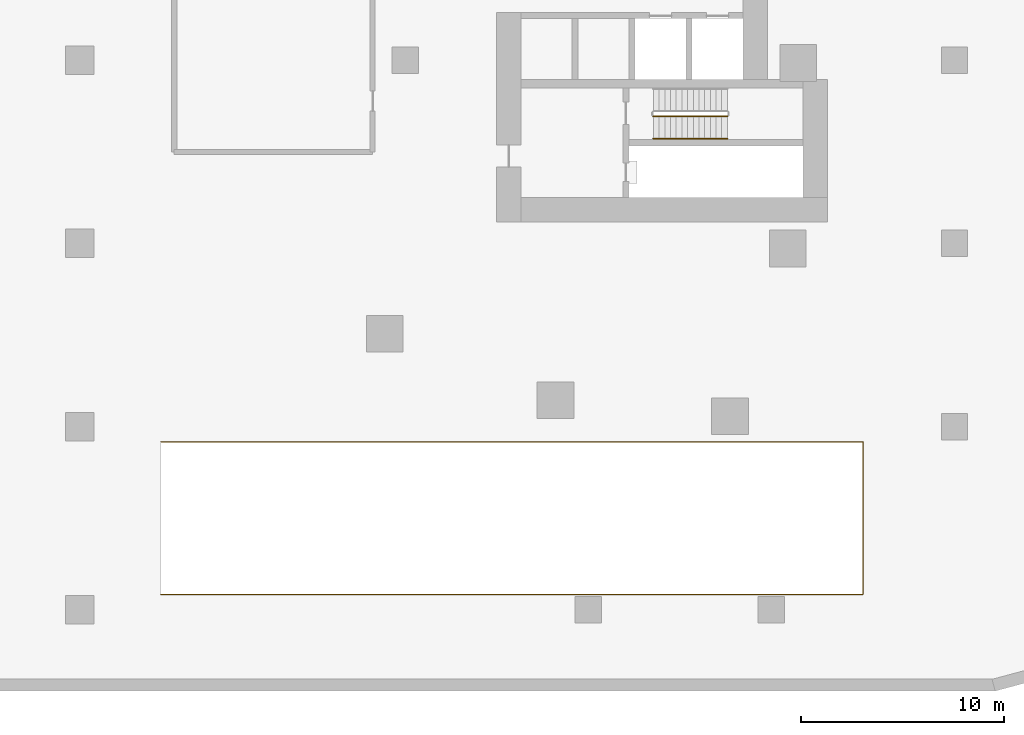
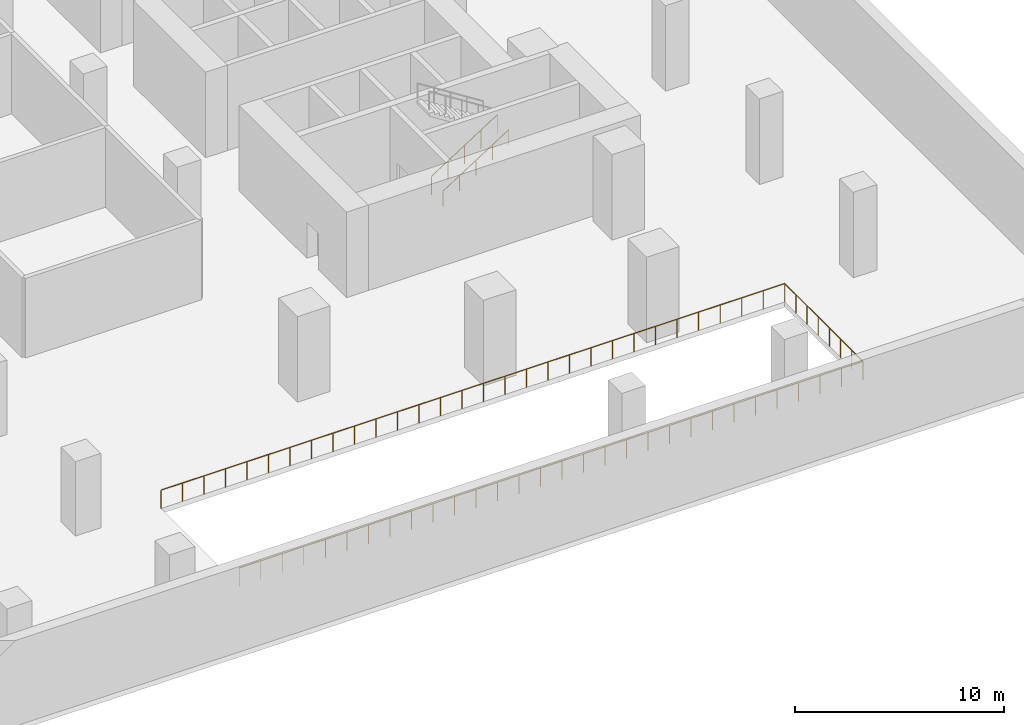
# One storey, part 7 of 9: 3 railings.
"""IFC4 building model written with IfcOpenShell, lengths in metres."""

from ifc_helpers import new_model, si_unit, direction, frame, origin, origin_2d, place, context, subcontext, project, spatial, circle, extrude, material, type_object, element, save


model = new_model("IFC4")

# Units and contexts
model_context = context("Model", 3, precision=1e-05, world=origin(), true_north=direction((0.0, 1.0)))
body_context = subcontext(model_context, "Body", "Model", "MODEL_VIEW")
ifc_project = project(units=[si_unit("LENGTHUNIT", "METRE"), si_unit("AREAUNIT", "SQUARE_METRE"), si_unit("VOLUMEUNIT", "CUBIC_METRE"), si_unit("PLANEANGLEUNIT", "RADIAN"), si_unit("MASSUNIT", "GRAM", prefix="KILO")], contexts=[model_context])

# Site, building, storey
site_placement = place(None, origin())
site = spatial("IfcSite", under=ifc_project, at=site_placement, CompositionType="ELEMENT")
building_placement = place(site_placement, origin())
building = spatial("IfcBuilding", under=site, at=building_placement, Name="Ostrand Prow Hotel Tower", CompositionType="ELEMENT")
storey_placement = place(building_placement, frame((0.0, 0.0, -5.0)))
storey = spatial("IfcBuildingStorey", under=building, at=storey_placement, Name="B1", CompositionType="ELEMENT", Elevation=-5.0)

# Railings
ifc_material_1 = material(Name="Painted steel", Category="steel")
railing_type_1 = type_object("IfcRailingType", Name="Ramp guard 1100", PredefinedType="GUARDRAIL", material=ifc_material_1)
railing_1_placement = place(storey_placement, frame((33.0, -27.75, 0.0)))
element("IfcRailing", 1, at=railing_1_placement, inside=storey, type_object=railing_type_1, Name="Floor opening guard", PredefinedType="GUARDRAIL", context=body_context, shape_type="SweptSolid", body=[
    extrude(circle(Radius=0.02392578125, at=origin_2d()), frame((0.0, 0.0, 1.076171875), z_axis=(1.0, 0.0, 0.0), x_axis=(0.0, 1.0, 0.0)), (0.0, 0.0, 1.0), 34.5),
    extrude(circle(Radius=0.02392578125, at=origin_2d()), frame((34.5, 0.0, 1.076171875), z_axis=(0.0, -1.0, 0.0), x_axis=(1.0, 0.0, 0.0)), (0.0, 0.0, 1.0), 7.5),
    extrude(circle(Radius=0.02392578125, at=origin_2d()), frame((34.5, -7.5, 1.076171875), z_axis=(-1.0, 0.0, 0.0), x_axis=(0.0, -1.0, 0.0)), (0.0, 0.0, 1.0), 34.5),
    extrude(circle(Radius=0.02099609375, at=origin_2d()), origin(), (0.0, 0.0, 1.0), 1.052001953125),
    extrude(circle(Radius=0.02099609375, at=origin_2d()), frame((1.189697265625, 0.0, 0.0)), (0.0, 0.0, 1.0), 1.052001953125),
    extrude(circle(Radius=0.02099609375, at=origin_2d()), frame((2.37939453125, 0.0, 0.0)), (0.0, 0.0, 1.0), 1.052001953125),
    extrude(circle(Radius=0.02099609375, at=origin_2d()), frame((3.56884765625, 0.0, 0.0)), (0.0, 0.0, 1.0), 1.052001953125),
    extrude(circle(Radius=0.02099609375, at=origin_2d()), frame((4.758544921875, 0.0, 0.0)), (0.0, 0.0, 1.0), 1.052001953125),
    extrude(circle(Radius=0.02099609375, at=origin_2d()), frame((5.9482421875, 0.0, 0.0)), (0.0, 0.0, 1.0), 1.052001953125),
    extrude(circle(Radius=0.02099609375, at=origin_2d()), frame((7.137939453125, 0.0, 0.0)), (0.0, 0.0, 1.0), 1.052001953125),
    extrude(circle(Radius=0.02099609375, at=origin_2d()), frame((8.32763671875, 0.0, 0.0)), (0.0, 0.0, 1.0), 1.052001953125),
    extrude(circle(Radius=0.02099609375, at=origin_2d()), frame((9.517333984375, 0.0, 0.0)), (0.0, 0.0, 1.0), 1.052001953125),
    extrude(circle(Radius=0.02099609375, at=origin_2d()), frame((10.706787109375, 0.0, 0.0)), (0.0, 0.0, 1.0), 1.052001953125),
    extrude(circle(Radius=0.02099609375, at=origin_2d()), frame((11.896484375, 0.0, 0.0)), (0.0, 0.0, 1.0), 1.052001953125),
    extrude(circle(Radius=0.02099609375, at=origin_2d()), frame((13.086181640625, 0.0, 0.0)), (0.0, 0.0, 1.0), 1.052001953125),
    extrude(circle(Radius=0.02099609375, at=origin_2d()), frame((14.27587890625, 0.0, 0.0)), (0.0, 0.0, 1.0), 1.052001953125),
    extrude(circle(Radius=0.02099609375, at=origin_2d()), frame((15.465576171875, 0.0, 0.0)), (0.0, 0.0, 1.0), 1.052001953125),
    extrude(circle(Radius=0.02099609375, at=origin_2d()), frame((16.6552734375, 0.0, 0.0)), (0.0, 0.0, 1.0), 1.052001953125),
    extrude(circle(Radius=0.02099609375, at=origin_2d()), frame((17.8447265625, 0.0, 0.0)), (0.0, 0.0, 1.0), 1.052001953125),
    extrude(circle(Radius=0.02099609375, at=origin_2d()), frame((19.034423828125, 0.0, 0.0)), (0.0, 0.0, 1.0), 1.052001953125),
    extrude(circle(Radius=0.02099609375, at=origin_2d()), frame((20.22412109375, 0.0, 0.0)), (0.0, 0.0, 1.0), 1.052001953125),
    extrude(circle(Radius=0.02099609375, at=origin_2d()), frame((21.413818359375, 0.0, 0.0)), (0.0, 0.0, 1.0), 1.052001953125),
    extrude(circle(Radius=0.02099609375, at=origin_2d()), frame((22.603515625, 0.0, 0.0)), (0.0, 0.0, 1.0), 1.052001953125),
    extrude(circle(Radius=0.02099609375, at=origin_2d()), frame((23.793212890625, 0.0, 0.0)), (0.0, 0.0, 1.0), 1.052001953125),
    extrude(circle(Radius=0.02099609375, at=origin_2d()), frame((24.982666015625, 0.0, 0.0)), (0.0, 0.0, 1.0), 1.052001953125),
    extrude(circle(Radius=0.02099609375, at=origin_2d()), frame((26.17236328125, 0.0, 0.0)), (0.0, 0.0, 1.0), 1.052001953125),
    extrude(circle(Radius=0.02099609375, at=origin_2d()), frame((27.362060546875, 0.0, 0.0)), (0.0, 0.0, 1.0), 1.052001953125),
    extrude(circle(Radius=0.02099609375, at=origin_2d()), frame((28.5517578125, 0.0, 0.0)), (0.0, 0.0, 1.0), 1.052001953125),
    extrude(circle(Radius=0.02099609375, at=origin_2d()), frame((29.741455078125, 0.0, 0.0)), (0.0, 0.0, 1.0), 1.052001953125),
    extrude(circle(Radius=0.02099609375, at=origin_2d()), frame((30.93115234375, 0.0, 0.0)), (0.0, 0.0, 1.0), 1.052001953125),
    extrude(circle(Radius=0.02099609375, at=origin_2d()), frame((32.12060546875, 0.0, 0.0)), (0.0, 0.0, 1.0), 1.052001953125),
    extrude(circle(Radius=0.02099609375, at=origin_2d()), frame((33.310302734375, 0.0, 0.0)), (0.0, 0.0, 1.0), 1.052001953125),
    extrude(circle(Radius=0.02099609375, at=origin_2d()), frame((34.5, 0.0, 0.0)), (0.0, 0.0, 1.0), 1.052001953125),
    extrude(circle(Radius=0.02099609375, at=origin_2d()), frame((34.5, -1.071533203125, 0.0)), (0.0, 0.0, 1.0), 1.052001953125),
    extrude(circle(Radius=0.02099609375, at=origin_2d()), frame((34.5, -2.142822265625, 0.0)), (0.0, 0.0, 1.0), 1.052001953125),
    extrude(circle(Radius=0.02099609375, at=origin_2d()), frame((34.5, -3.21435546875, 0.0)), (0.0, 0.0, 1.0), 1.052001953125),
    extrude(circle(Radius=0.02099609375, at=origin_2d()), frame((34.5, -4.28564453125, 0.0)), (0.0, 0.0, 1.0), 1.052001953125),
    extrude(circle(Radius=0.02099609375, at=origin_2d()), frame((34.5, -5.357177734375, 0.0)), (0.0, 0.0, 1.0), 1.052001953125),
    extrude(circle(Radius=0.02099609375, at=origin_2d()), frame((34.5, -6.428466796875, 0.0)), (0.0, 0.0, 1.0), 1.052001953125),
    extrude(circle(Radius=0.02099609375, at=origin_2d()), frame((34.5, -7.5, 0.0)), (0.0, 0.0, 1.0), 1.052001953125),
    extrude(circle(Radius=0.02099609375, at=origin_2d()), frame((33.310302734375, -7.5, 0.0)), (0.0, 0.0, 1.0), 1.052001953125),
    extrude(circle(Radius=0.02099609375, at=origin_2d()), frame((32.12060546875, -7.5, 0.0)), (0.0, 0.0, 1.0), 1.052001953125),
    extrude(circle(Radius=0.02099609375, at=origin_2d()), frame((30.93115234375, -7.5, 0.0)), (0.0, 0.0, 1.0), 1.052001953125),
    extrude(circle(Radius=0.02099609375, at=origin_2d()), frame((29.741455078125, -7.5, 0.0)), (0.0, 0.0, 1.0), 1.052001953125),
    extrude(circle(Radius=0.02099609375, at=origin_2d()), frame((28.5517578125, -7.5, 0.0)), (0.0, 0.0, 1.0), 1.052001953125),
    extrude(circle(Radius=0.02099609375, at=origin_2d()), frame((27.362060546875, -7.5, 0.0)), (0.0, 0.0, 1.0), 1.052001953125),
    extrude(circle(Radius=0.02099609375, at=origin_2d()), frame((26.17236328125, -7.5, 0.0)), (0.0, 0.0, 1.0), 1.052001953125),
    extrude(circle(Radius=0.02099609375, at=origin_2d()), frame((24.982666015625, -7.5, 0.0)), (0.0, 0.0, 1.0), 1.052001953125),
    extrude(circle(Radius=0.02099609375, at=origin_2d()), frame((23.793212890625, -7.5, 0.0)), (0.0, 0.0, 1.0), 1.052001953125),
    extrude(circle(Radius=0.02099609375, at=origin_2d()), frame((22.603515625, -7.5, 0.0)), (0.0, 0.0, 1.0), 1.052001953125),
    extrude(circle(Radius=0.02099609375, at=origin_2d()), frame((21.413818359375, -7.5, 0.0)), (0.0, 0.0, 1.0), 1.052001953125),
    extrude(circle(Radius=0.02099609375, at=origin_2d()), frame((20.22412109375, -7.5, 0.0)), (0.0, 0.0, 1.0), 1.052001953125),
    extrude(circle(Radius=0.02099609375, at=origin_2d()), frame((19.034423828125, -7.5, 0.0)), (0.0, 0.0, 1.0), 1.052001953125),
    extrude(circle(Radius=0.02099609375, at=origin_2d()), frame((17.8447265625, -7.5, 0.0)), (0.0, 0.0, 1.0), 1.052001953125),
    extrude(circle(Radius=0.02099609375, at=origin_2d()), frame((16.6552734375, -7.5, 0.0)), (0.0, 0.0, 1.0), 1.052001953125),
    extrude(circle(Radius=0.02099609375, at=origin_2d()), frame((15.465576171875, -7.5, 0.0)), (0.0, 0.0, 1.0), 1.052001953125),
    extrude(circle(Radius=0.02099609375, at=origin_2d()), frame((14.27587890625, -7.5, 0.0)), (0.0, 0.0, 1.0), 1.052001953125),
    extrude(circle(Radius=0.02099609375, at=origin_2d()), frame((13.086181640625, -7.5, 0.0)), (0.0, 0.0, 1.0), 1.052001953125),
    extrude(circle(Radius=0.02099609375, at=origin_2d()), frame((11.896484375, -7.5, 0.0)), (0.0, 0.0, 1.0), 1.052001953125),
    extrude(circle(Radius=0.02099609375, at=origin_2d()), frame((10.706787109375, -7.5, 0.0)), (0.0, 0.0, 1.0), 1.052001953125),
    extrude(circle(Radius=0.02099609375, at=origin_2d()), frame((9.517333984375, -7.5, 0.0)), (0.0, 0.0, 1.0), 1.052001953125),
    extrude(circle(Radius=0.02099609375, at=origin_2d()), frame((8.32763671875, -7.5, 0.0)), (0.0, 0.0, 1.0), 1.052001953125),
    extrude(circle(Radius=0.02099609375, at=origin_2d()), frame((7.137939453125, -7.5, 0.0)), (0.0, 0.0, 1.0), 1.052001953125),
    extrude(circle(Radius=0.02099609375, at=origin_2d()), frame((5.9482421875, -7.5, 0.0)), (0.0, 0.0, 1.0), 1.052001953125),
    extrude(circle(Radius=0.02099609375, at=origin_2d()), frame((4.758544921875, -7.5, 0.0)), (0.0, 0.0, 1.0), 1.052001953125),
    extrude(circle(Radius=0.02099609375, at=origin_2d()), frame((3.56884765625, -7.5, 0.0)), (0.0, 0.0, 1.0), 1.052001953125),
    extrude(circle(Radius=0.02099609375, at=origin_2d()), frame((2.37939453125, -7.5, 0.0)), (0.0, 0.0, 1.0), 1.052001953125),
    extrude(circle(Radius=0.02099609375, at=origin_2d()), frame((1.189697265625, -7.5, 0.0)), (0.0, 0.0, 1.0), 1.052001953125),
    extrude(circle(Radius=0.02099609375, at=origin_2d()), frame((0.0, -7.5, 0.0)), (0.0, 0.0, 1.0), 1.052001953125),
])
ifc_material_2 = material(Name="Painted steel", Category="steel")
railing_type_2 = type_object("IfcRailingType", Name="Stair guard 1100", PredefinedType="GUARDRAIL", material=ifc_material_2)
railing_2_placement = place(storey_placement, frame((57.199951171875, -11.75, 0.178466796875)))
element("IfcRailing", 2, at=railing_2_placement, inside=storey, type_object=railing_type_2, Name="B1 ST2A stair guard 1", PredefinedType="GUARDRAIL", context=body_context, shape_type="SweptSolid", body=[
    extrude(circle(Radius=0.02392578125, at=origin_2d()), frame((0.0, 0.0, 1.076171875), z_axis=(0.843127859045, 0.0, 0.537713132908), x_axis=(0.0, 1.0, 0.0)), (0.0, 0.0, 1.0), 4.3173828125),
    extrude(circle(Radius=0.02099609375, at=origin_2d()), origin(), (0.0, 0.0, 1.0), 1.052001953125),
    extrude(circle(Radius=0.02099609375, at=origin_2d()), frame((0.91015625, 0.0, 0.580322265625)), (0.0, 0.0, 1.0), 1.052001953125),
    extrude(circle(Radius=0.02099609375, at=origin_2d()), frame((1.820068359375, 0.0, 1.16064453125)), (0.0, 0.0, 1.0), 1.052001953125),
    extrude(circle(Radius=0.02099609375, at=origin_2d()), frame((2.72998046875, 0.0, 1.7412109375)), (0.0, 0.0, 1.0), 1.052001953125),
    extrude(circle(Radius=0.02099609375, at=origin_2d()), frame((3.64013671875, 0.0, 2.321533203125)), (0.0, 0.0, 1.0), 1.052001953125),
])
ifc_material_3 = material(Name="Stainless steel", Category="steel")
railing_type_3 = type_object("IfcRailingType", Name="Stair handrail 900", PredefinedType="HANDRAIL", material=ifc_material_3)
railing_3_placement = place(storey_placement, frame((57.199951171875, -12.85009765625, 0.178466796875)))
element("IfcRailing", 3, at=railing_3_placement, inside=storey, type_object=railing_type_3, Name="B1 ST2A stair handrail 1", PredefinedType="HANDRAIL", context=body_context, shape_type="SweptSolid", body=[
    extrude(circle(Radius=0.02392578125, at=origin_2d()), frame((0.0, 0.0, 0.8759765625), z_axis=(0.843127859045, 0.0, 0.537713132908), x_axis=(0.0, 1.0, 0.0)), (0.0, 0.0, 1.0), 4.3173828125),
    extrude(circle(Radius=0.02099609375, at=origin_2d()), origin(), (0.0, 0.0, 1.0), 0.851806640625),
    extrude(circle(Radius=0.02099609375, at=origin_2d()), frame((0.91015625, 0.0, 0.580322265625)), (0.0, 0.0, 1.0), 0.851806640625),
    extrude(circle(Radius=0.02099609375, at=origin_2d()), frame((1.820068359375, 0.0, 1.16064453125)), (0.0, 0.0, 1.0), 0.851806640625),
    extrude(circle(Radius=0.02099609375, at=origin_2d()), frame((2.72998046875, 0.0, 1.7412109375)), (0.0, 0.0, 1.0), 0.851806640625),
    extrude(circle(Radius=0.02099609375, at=origin_2d()), frame((3.64013671875, 0.0, 2.321533203125)), (0.0, 0.0, 1.0), 0.851806640625),
])

save(model, "model.ifc")
